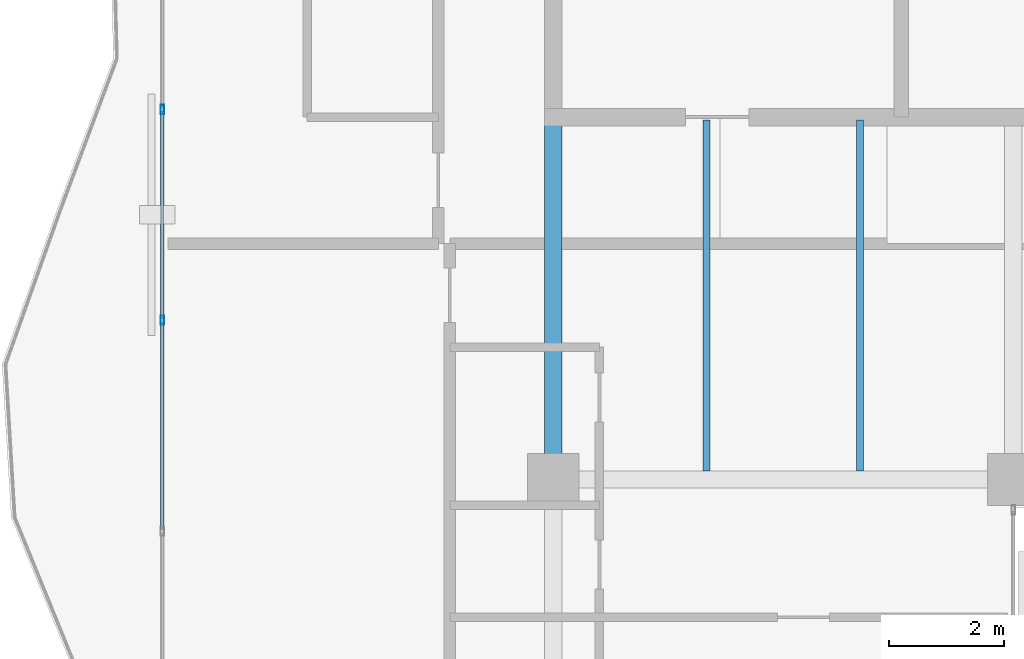
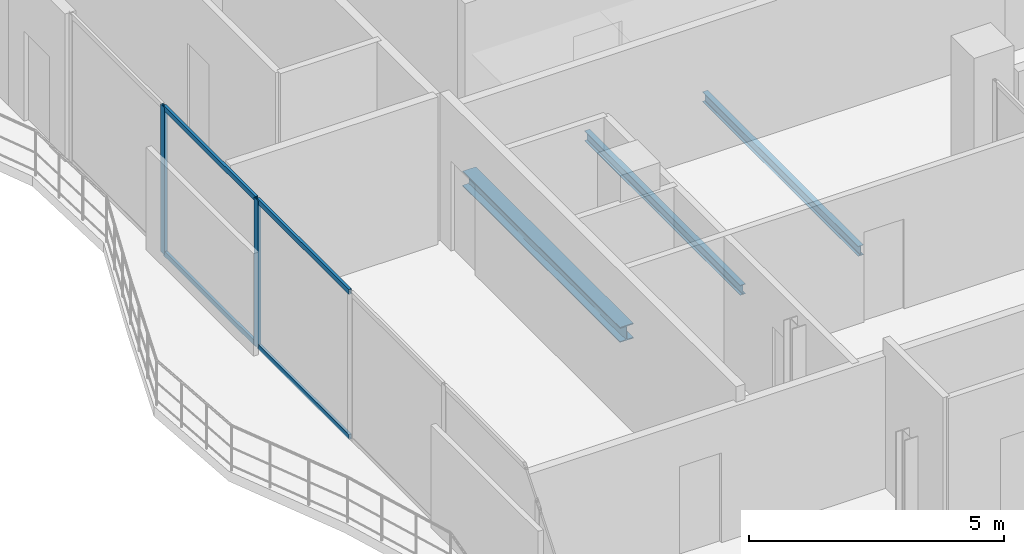
# One storey, part 7 of 16: 6 members, 3 beams, 1 element without a shape of its own.
"""IFC4 building model written with IfcOpenShell, lengths in metres."""

from ifc_helpers import new_model, si_unit, direction, frame, origin, origin_2d, place, context, subcontext, project, spatial, hollow_rectangle, i_section, extrude, material, layer, layer_set, material_profile, profile_set, type_object, element, aggregate, save


model = new_model("IFC4")

# Units and contexts
model_context = context("Model", 3, precision=1e-05, world=origin(), true_north=direction((0.0, 1.0)))
body_context = subcontext(model_context, "Body", "Model", "MODEL_VIEW")
ifc_project = project(units=[si_unit("LENGTHUNIT", "METRE"), si_unit("AREAUNIT", "SQUARE_METRE"), si_unit("VOLUMEUNIT", "CUBIC_METRE"), si_unit("PLANEANGLEUNIT", "RADIAN"), si_unit("MASSUNIT", "GRAM", prefix="KILO")], contexts=[model_context])

# Site, building, storey
site_placement = place(None, origin())
site = spatial("IfcSite", under=ifc_project, at=site_placement, CompositionType="ELEMENT")
building_placement = place(site_placement, origin())
building = spatial("IfcBuilding", under=site, at=building_placement, Name="Catumbela Crestline Tower", CompositionType="ELEMENT")
storey_placement = place(building_placement, frame((0.0, 0.0, 275.4)))
storey = spatial("IfcBuildingStorey", under=building, at=storey_placement, Name="L71", CompositionType="ELEMENT", Elevation=275.4)

# Beams
ifc_material_1 = material(Name="Structural steel S355J2", Category="steel")
ifc_material_profile_1 = material_profile(ifc_material_1, i_section(OverallWidth=0.3, OverallDepth=0.36, WebThickness=0.0125, FlangeThickness=0.0225, FilletRadius=0.027, at=origin_2d()), Name="HEB 360")
ifc_profile_set_1 = profile_set([ifc_material_profile_1], Name="Structural steel S355J2")
beam_type_1 = type_object("IfcBeamType", Name="BG-HEB360", PredefinedType="BEAM", material=ifc_profile_set_1)
beam_placement = place(storey_placement, frame((16.0, 24.58, -0.44), z_axis=(0.0, 1.0, 0.0), x_axis=(-1.0, 0.0, 0.0)))
element("IfcBeam", 1, at=beam_placement, inside=storey, type_object=beam_type_1, Name="L71 Beam BM-L71-SNS06", PredefinedType="BEAM", context=body_context, shape_type="SweptSolid", body=[
    extrude(i_section(OverallWidth=0.3, OverallDepth=0.36, WebThickness=0.0125, FlangeThickness=0.0225, FilletRadius=0.027, at=origin_2d()), origin(), (0.0, 0.0, 1.0), 6.17),
])
ifc_material_profile_2 = material_profile(ifc_material_1, i_section(OverallWidth=0.12, OverallDepth=0.24, WebThickness=0.0062, FlangeThickness=0.0098, FilletRadius=0.015, at=origin_2d()), Name="IPE 240")
ifc_profile_set_2 = profile_set([ifc_material_profile_2], Name="Structural steel S355J2")
beam_type_2 = type_object("IfcBeamType", Name="BJ-IPE240", PredefinedType="JOIST", material=ifc_profile_set_2)
for number, where, z_axis, x_axis, name in (
    (2, (18.667, 24.647, -0.38), (0.0, 1.0, 0.0), (-1.0, 0.0, 0.0), "L71 Joist JS-L71-SP12"),
    (3, (21.333, 24.647, -0.38), (0.0, 1.0, 0.0), (-1.0, 0.0, 0.0), "L71 Joist JS-L71-SP13"),
):
    element("IfcBeam", number, at=place(storey_placement, frame(where, z_axis=z_axis, x_axis=x_axis)), inside=storey, type_object=beam_type_2, Name=name, PredefinedType="JOIST", context=body_context, shape_type="SweptSolid", body=[
        extrude(i_section(OverallWidth=0.12, OverallDepth=0.24, WebThickness=0.0062, FlangeThickness=0.0098, FilletRadius=0.015, at=origin_2d()), origin(), (0.0, 0.0, 1.0), 6.103),
    ])

# Curtain wall, members
ifc_material_2 = material(Name="Aluminium alloy AW-6060-T66", Category="aluminium")
ifc_layer = layer(ifc_material_2, 0.18, Name="Aluminium alloy AW-6060-T66")
ifc_layer_set = layer_set([ifc_layer], Name="Aluminium alloy AW-6060-T66")
curtain_wall_type = type_object("IfcCurtainWallType", Name="CWU-Z4", PredefinedType="USERDEFINED", material=ifc_layer_set)
curtain_wall_placement = place(storey_placement, origin())
curtain_wall = element("IfcCurtainWall", 4, at=curtain_wall_placement, inside=storey, type_object=curtain_wall_type, Name="L71 Unitised Curtain Wall CW-L71-E9S2", ObjectType="UNITISED", PredefinedType="USERDEFINED")
ifc_material_profile_3 = material_profile(ifc_material_2, hollow_rectangle(XDim=0.06, YDim=0.16, WallThickness=0.004, at=origin_2d()), Name="ALU 160x60x4")
ifc_profile_set_3 = profile_set([ifc_material_profile_3], Name="Aluminium alloy AW-6060-T66")
member_type_1 = type_object("IfcMemberType", Name="MUL-160X60", PredefinedType="MULLION", material=ifc_profile_set_3)
member_1_placement = place(storey_placement, frame((9.2, 30.9333, 0.0), z_axis=(0.0, 0.0, 1.0), x_axis=(1.0, 0.0, 0.0)))
member_1 = element("IfcMember", 5, at=member_1_placement, type_object=member_type_1, Name="CWU-Z4 mullion 2", PredefinedType="MULLION", context=body_context, shape_type="SweptSolid", body=[
    extrude(hollow_rectangle(XDim=0.06, YDim=0.16, WallThickness=0.004, at=origin_2d()), origin(), (0.0, 0.0, 1.0), 3.53),
])
member_2_placement = place(storey_placement, frame((9.2, 27.2667, 0.0), z_axis=(0.0, 0.0, 1.0), x_axis=(1.0, 0.0, 0.0)))
member_2 = element("IfcMember", 6, at=member_2_placement, type_object=member_type_1, Name="CWU-Z4 mullion 3", PredefinedType="MULLION", context=body_context, shape_type="SweptSolid", body=[
    extrude(hollow_rectangle(XDim=0.06, YDim=0.16, WallThickness=0.004, at=origin_2d()), origin(), (0.0, 0.0, 1.0), 3.53),
])
ifc_material_profile_4 = material_profile(ifc_material_2, hollow_rectangle(XDim=0.06, YDim=0.12, WallThickness=0.0035, at=origin_2d()), Name="ALU 120x60x3.5")
ifc_profile_set_4 = profile_set([ifc_material_profile_4], Name="Aluminium alloy AW-6060-T66")
member_type_2 = type_object("IfcMemberType", Name="TRN-120X60", PredefinedType="USERDEFINED", material=ifc_profile_set_4)
member_3_placement = place(storey_placement, frame((9.2, 30.9008, 0.03), z_axis=(0.0, -1.0, 0.0), x_axis=(1.0, 0.0, 0.0)))
member_3 = element("IfcMember", 7, at=member_3_placement, type_object=member_type_2, Name="CWU-Z4 transom 2.1", ObjectType="TRANSOM", PredefinedType="USERDEFINED", context=body_context, shape_type="SweptSolid", body=[
    extrude(hollow_rectangle(XDim=0.06, YDim=0.12, WallThickness=0.0035, at=origin_2d()), origin(), (0.0, 0.0, 1.0), 3.6016),
])
member_4_placement = place(storey_placement, frame((9.2, 30.9008, 3.5), z_axis=(0.0, -1.0, 0.0), x_axis=(1.0, 0.0, 0.0)))
member_4 = element("IfcMember", 8, at=member_4_placement, type_object=member_type_2, Name="CWU-Z4 transom 2.2", ObjectType="TRANSOM", PredefinedType="USERDEFINED", context=body_context, shape_type="SweptSolid", body=[
    extrude(hollow_rectangle(XDim=0.06, YDim=0.12, WallThickness=0.0035, at=origin_2d()), origin(), (0.0, 0.0, 1.0), 3.6016),
])
member_5_placement = place(storey_placement, frame((9.2, 27.2342, 0.03), z_axis=(0.0, -1.0, 0.0), x_axis=(1.0, 0.0, 0.0)))
member_5 = element("IfcMember", 9, at=member_5_placement, type_object=member_type_2, Name="CWU-Z4 transom 3.1", ObjectType="TRANSOM", PredefinedType="USERDEFINED", context=body_context, shape_type="SweptSolid", body=[
    extrude(hollow_rectangle(XDim=0.06, YDim=0.12, WallThickness=0.0035, at=origin_2d()), origin(), (0.0, 0.0, 1.0), 3.6017),
])
member_6_placement = place(storey_placement, frame((9.2, 27.2342, 3.5), z_axis=(0.0, -1.0, 0.0), x_axis=(1.0, 0.0, 0.0)))
member_6 = element("IfcMember", 10, at=member_6_placement, type_object=member_type_2, Name="CWU-Z4 transom 3.2", ObjectType="TRANSOM", PredefinedType="USERDEFINED", context=body_context, shape_type="SweptSolid", body=[
    extrude(hollow_rectangle(XDim=0.06, YDim=0.12, WallThickness=0.0035, at=origin_2d()), origin(), (0.0, 0.0, 1.0), 3.6017),
])
aggregate(curtain_wall, [member_1, member_2, member_3, member_4, member_5, member_6])

save(model, "model.ifc")
